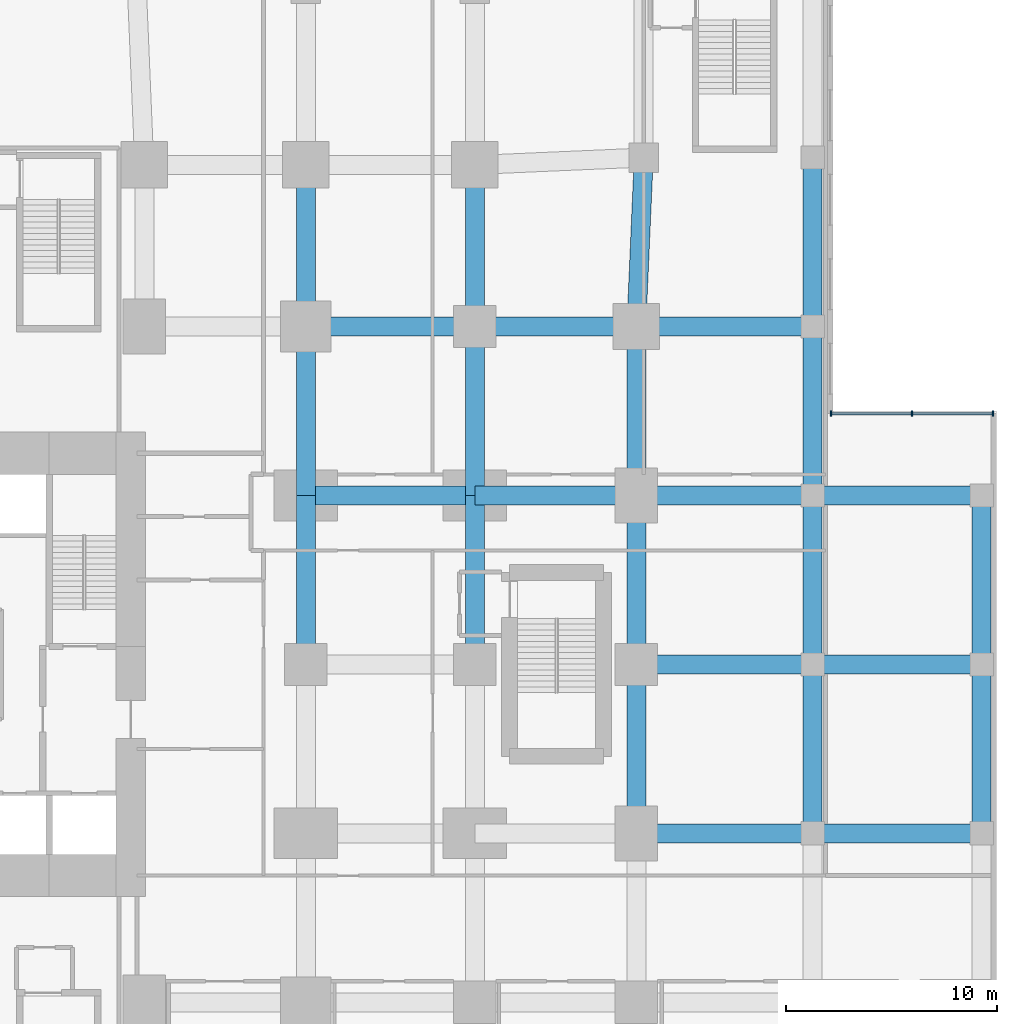
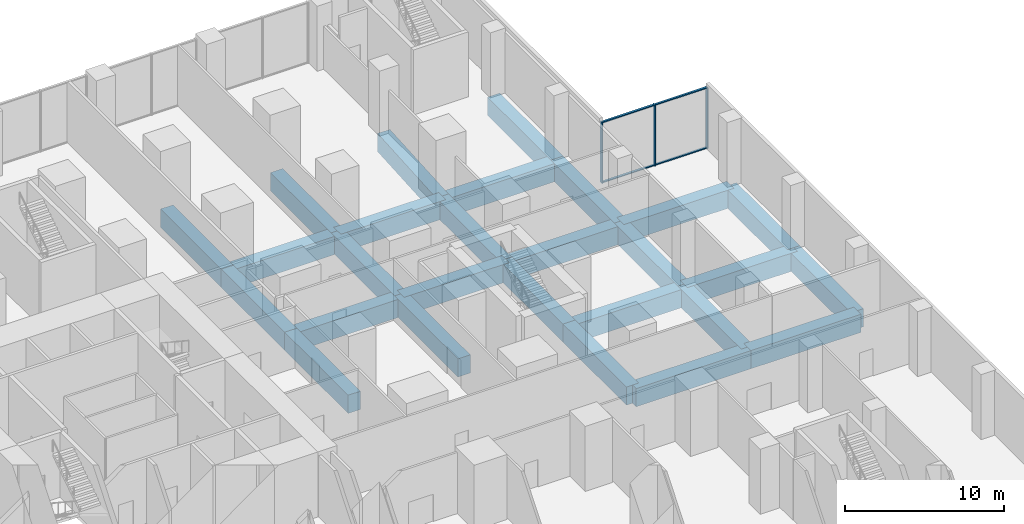
# One storey, part 6 of 22: 27 beams, 7 members, 1 element without a shape of its own.
"""IFC4 building model written with IfcOpenShell, lengths in metres."""

from ifc_helpers import new_model, si_unit, direction, frame, origin, origin_2d, place, context, subcontext, project, spatial, rectangle, extrude, material, layer, layer_set, material_profile, profile_set, type_object, element, aggregate, save


model = new_model("IFC4")

# Units and contexts
model_context = context("Model", 3, precision=1e-05, world=origin(), true_north=direction((0.0, 1.0)))
body_context = subcontext(model_context, "Body", "Model", "MODEL_VIEW")
ifc_project = project(units=[si_unit("LENGTHUNIT", "METRE"), si_unit("AREAUNIT", "SQUARE_METRE"), si_unit("VOLUMEUNIT", "CUBIC_METRE"), si_unit("PLANEANGLEUNIT", "RADIAN"), si_unit("MASSUNIT", "GRAM", prefix="KILO")], contexts=[model_context])

# Site, building, storey
site_placement = place(None, origin())
site = spatial("IfcSite", under=ifc_project, at=site_placement, CompositionType="ELEMENT")
building_placement = place(site_placement, origin())
building = spatial("IfcBuilding", under=site, at=building_placement, Name="Cleftline Residences", CompositionType="ELEMENT")
storey_placement = place(building_placement, frame((0.0, 0.0, 6.0)))
storey = spatial("IfcBuildingStorey", under=building, at=storey_placement, Name="L01", CompositionType="ELEMENT", Elevation=6.0)

# Beams
ifc_material_1 = material(Name="Concrete B45", Category="concrete")
ifc_material_profile_1 = material_profile(ifc_material_1, rectangle(XDim=0.89990234375, YDim=1.39990234375, at=origin_2d()))
ifc_profile_set_1 = profile_set([ifc_material_profile_1], Name="Concrete B45")
beam_type = type_object("IfcBeamType", Name="BEAM RC900X1400", PredefinedType="BEAM", material=ifc_profile_set_1)
beam_1_placement = place(storey_placement, frame((65.64990234375, 16.0, -1.0), z_axis=(1.0, 0.0, 0.0), x_axis=(0.0, 1.0, 0.0)))
element("IfcBeam", 1, at=beam_1_placement, inside=storey, type_object=beam_type, Name="Podium beam", PredefinedType="BEAM", context=body_context, shape_type="SweptSolid", body=[
    extrude(rectangle(XDim=0.89990234375, YDim=1.39990234375, at=origin_2d()), origin(), (0.0, 0.0, 1.0), 8.35009765625),
])
beam_2_placement = place(storey_placement, frame((74.0, 16.0, -1.0), z_axis=(1.0, 0.0, 0.0), x_axis=(0.0, 1.0, 0.0)))
element("IfcBeam", 2, at=beam_2_placement, inside=storey, type_object=beam_type, Name="Podium beam", PredefinedType="BEAM", context=body_context, shape_type="SweptSolid", body=[
    extrude(rectangle(XDim=0.89990234375, YDim=1.39990234375, at=origin_2d()), origin(), (0.0, 0.0, 1.0), 8.0),
])
beam_3_placement = place(storey_placement, frame((65.64990234375, 24.0, -1.0), z_axis=(1.0, 0.0, 0.0), x_axis=(0.0, 1.0, 0.0)))
element("IfcBeam", 3, at=beam_3_placement, inside=storey, type_object=beam_type, Name="Podium beam", PredefinedType="BEAM", context=body_context, shape_type="SweptSolid", body=[
    extrude(rectangle(XDim=0.89990234375, YDim=1.39990234375, at=origin_2d()), origin(), (0.0, 0.0, 1.0), 8.35009765625),
])
for number, where, z_axis, x_axis, name in (
    (4, (74.0, 24.0, -1.0), (1.0, 0.0, 0.0), (0.0, 1.0, 0.0), "Podium beam"),
    (5, (50.0, 32.0, -1.0), (1.0, 0.0, 0.0), (0.0, 1.0, 0.0), "Podium beam"),
):
    element("IfcBeam", number, at=place(storey_placement, frame(where, z_axis=z_axis, x_axis=x_axis)), inside=storey, type_object=beam_type, Name=name, PredefinedType="BEAM", context=body_context, shape_type="SweptSolid", body=[
        extrude(rectangle(XDim=0.89990234375, YDim=1.39990234375, at=origin_2d()), origin(), (0.0, 0.0, 1.0), 8.0),
    ])
beam_4_placement = place(storey_placement, frame((58.0, 32.0, -1.0), z_axis=(1.0, 0.0, 0.0), x_axis=(0.0, 1.0, 0.0)))
element("IfcBeam", 6, at=beam_4_placement, inside=storey, type_object=beam_type, Name="Podium beam", PredefinedType="BEAM", context=body_context, shape_type="SweptSolid", body=[
    extrude(rectangle(XDim=0.89990234375, YDim=1.39990234375, at=origin_2d()), origin(), (0.0, 0.0, 1.0), 7.64990234375),
])
beam_5_placement = place(storey_placement, frame((65.64990234375, 32.0, -1.0), z_axis=(1.0, 0.0, 0.0), x_axis=(0.0, 1.0, 0.0)))
element("IfcBeam", 7, at=beam_5_placement, inside=storey, type_object=beam_type, Name="Podium beam", PredefinedType="BEAM", context=body_context, shape_type="SweptSolid", body=[
    extrude(rectangle(XDim=0.89990234375, YDim=1.39990234375, at=origin_2d()), origin(), (0.0, 0.0, 1.0), 8.35009765625),
])
for number, where, z_axis, x_axis, name in (
    (8, (74.0, 32.0, -1.0), (1.0, 0.0, 0.0), (0.0, 1.0, 0.0), "Podium beam"),
    (9, (50.0, 40.0, -1.0), (1.0, 0.0, 0.0), (0.0, 1.0, 0.0), "Podium beam"),
):
    element("IfcBeam", number, at=place(storey_placement, frame(where, z_axis=z_axis, x_axis=x_axis)), inside=storey, type_object=beam_type, Name=name, PredefinedType="BEAM", context=body_context, shape_type="SweptSolid", body=[
        extrude(rectangle(XDim=0.89990234375, YDim=1.39990234375, at=origin_2d()), origin(), (0.0, 0.0, 1.0), 8.0),
    ])
beam_6_placement = place(storey_placement, frame((58.0, 40.0, -1.0), z_axis=(1.0, 0.0, 0.0), x_axis=(0.0, 1.0, 0.0)))
element("IfcBeam", 10, at=beam_6_placement, inside=storey, type_object=beam_type, Name="Podium beam", PredefinedType="BEAM", context=body_context, shape_type="SweptSolid", body=[
    extrude(rectangle(XDim=0.89990234375, YDim=1.39990234375, at=origin_2d()), origin(), (0.0, 0.0, 1.0), 7.64990234375),
])
beam_7_placement = place(storey_placement, frame((65.64990234375, 40.0, -1.0), z_axis=(1.0, 0.0, 0.0), x_axis=(0.0, 1.0, 0.0)))
element("IfcBeam", 11, at=beam_7_placement, inside=storey, type_object=beam_type, Name="Podium beam", PredefinedType="BEAM", context=body_context, shape_type="SweptSolid", body=[
    extrude(rectangle(XDim=0.89990234375, YDim=1.39990234375, at=origin_2d()), origin(), (0.0, 0.0, 1.0), 8.35009765625),
])
for number, where, z_axis, x_axis, name in (
    (12, (50.0, 24.0, -1.0), (0.0, 1.0, 0.0), (-1.0, 0.0, 0.0), "Podium beam"),
    (13, (50.0, 32.0, -1.0), (0.0, 1.0, 0.0), (-1.0, 0.0, 0.0), "Podium beam"),
):
    element("IfcBeam", number, at=place(storey_placement, frame(where, z_axis=z_axis, x_axis=x_axis)), inside=storey, type_object=beam_type, Name=name, PredefinedType="BEAM", context=body_context, shape_type="SweptSolid", body=[
        extrude(rectangle(XDim=0.89990234375, YDim=1.39990234375, at=origin_2d()), origin(), (0.0, 0.0, 1.0), 8.0),
    ])
beam_8_placement = place(storey_placement, frame((50.0, 40.0, -1.0), z_axis=(0.0, 1.0, 0.0), x_axis=(-1.0, 0.0, 0.0)))
element("IfcBeam", 14, at=beam_8_placement, inside=storey, type_object=beam_type, Name="Podium beam", PredefinedType="BEAM", context=body_context, shape_type="SweptSolid", body=[
    extrude(rectangle(XDim=0.89990234375, YDim=1.39990234375, at=origin_2d()), origin(), (0.0, 0.0, 1.0), 7.64990234375),
])
for number, where, z_axis, x_axis, name in (
    (15, (58.0, 24.0, -1.0), (0.0, 1.0, 0.0), (-1.0, 0.0, 0.0), "Podium beam"),
    (16, (58.0, 32.0, -1.0), (0.0, 1.0, 0.0), (-1.0, 0.0, 0.0), "Podium beam"),
):
    element("IfcBeam", number, at=place(storey_placement, frame(where, z_axis=z_axis, x_axis=x_axis)), inside=storey, type_object=beam_type, Name=name, PredefinedType="BEAM", context=body_context, shape_type="SweptSolid", body=[
        extrude(rectangle(XDim=0.89990234375, YDim=1.39990234375, at=origin_2d()), origin(), (0.0, 0.0, 1.0), 8.0),
    ])
beam_9_placement = place(storey_placement, frame((58.0, 40.0, -1.0), z_axis=(0.0, 1.0, 0.0), x_axis=(-1.0, 0.0, 0.0)))
element("IfcBeam", 17, at=beam_9_placement, inside=storey, type_object=beam_type, Name="Podium beam", PredefinedType="BEAM", context=body_context, shape_type="SweptSolid", body=[
    extrude(rectangle(XDim=0.89990234375, YDim=1.39990234375, at=origin_2d()), origin(), (0.0, 0.0, 1.0), 7.64990234375),
])
for number, where, z_axis, x_axis, name in (
    (18, (65.64990234375, 16.0, -1.0), (0.0, 1.0, 0.0), (-1.0, 0.0, 0.0), "Podium beam"),
    (19, (65.64990234375, 24.0, -1.0), (0.0, 1.0, 0.0), (-1.0, 0.0, 0.0), "Podium beam"),
    (20, (65.64990234375, 32.0, -1.0), (0.0, 1.0, 0.0), (-1.0, 0.0, 0.0), "Podium beam"),
):
    element("IfcBeam", number, at=place(storey_placement, frame(where, z_axis=z_axis, x_axis=x_axis)), inside=storey, type_object=beam_type, Name=name, PredefinedType="BEAM", context=body_context, shape_type="SweptSolid", body=[
        extrude(rectangle(XDim=0.89990234375, YDim=1.39990234375, at=origin_2d()), origin(), (0.0, 0.0, 1.0), 8.0),
    ])
beam_10_placement = place(storey_placement, frame((65.64990234375, 40.0, -1.0), z_axis=(0.043720361951, 0.999043807824, 0.0), x_axis=(-0.999043807824, 0.043720361951, 0.0)))
element("IfcBeam", 21, at=beam_10_placement, inside=storey, type_object=beam_type, Name="Podium beam", PredefinedType="BEAM", context=body_context, shape_type="SweptSolid", body=[
    extrude(rectangle(XDim=0.89990234375, YDim=1.39990234375, at=origin_2d()), origin(), (0.0, 0.0, 1.0), 8.007568359375),
])
for number, where, z_axis, x_axis, name in (
    (22, (74.0, 16.0, -1.0), (0.0, 1.0, 0.0), (-1.0, 0.0, 0.0), "Podium beam"),
    (23, (74.0, 24.0, -1.0), (0.0, 1.0, 0.0), (-1.0, 0.0, 0.0), "Podium beam"),
    (24, (74.0, 32.0, -1.0), (0.0, 1.0, 0.0), (-1.0, 0.0, 0.0), "Podium beam"),
    (25, (74.0, 40.0, -1.0), (0.0, 1.0, 0.0), (-1.0, 0.0, 0.0), "Podium beam"),
    (26, (82.0, 16.0, -1.0), (0.0, 1.0, 0.0), (-1.0, 0.0, 0.0), "Podium beam"),
    (27, (82.0, 24.0, -1.0), (0.0, 1.0, 0.0), (-1.0, 0.0, 0.0), "Podium beam"),
):
    element("IfcBeam", number, at=place(storey_placement, frame(where, z_axis=z_axis, x_axis=x_axis)), inside=storey, type_object=beam_type, Name=name, PredefinedType="BEAM", context=body_context, shape_type="SweptSolid", body=[
        extrude(rectangle(XDim=0.89990234375, YDim=1.39990234375, at=origin_2d()), origin(), (0.0, 0.0, 1.0), 8.0),
    ])

# Curtain wall, members
ifc_material_2 = material(Name="Aluminium framed curtain wall", Category="aluminium")
ifc_layer = layer(ifc_material_2, 0.199951171875)
ifc_layer_set = layer_set([ifc_layer], Name="CW2 PODIUM GLAZING")
curtain_wall_type = type_object("IfcCurtainWallType", Name="CW2 PODIUM GLAZING", PredefinedType="NOTDEFINED", material=ifc_layer_set)
curtain_wall_placement = place(storey_placement, origin())
curtain_wall = element("IfcCurtainWall", 28, at=curtain_wall_placement, inside=storey, type_object=curtain_wall_type, Name="Curtain wall CW2", PredefinedType="NOTDEFINED")
ifc_material_3 = material(Name="Aluminium mullion", Category="aluminium")
ifc_material_profile_2 = material_profile(ifc_material_3, rectangle(XDim=0.25, YDim=0.080078125, at=origin_2d()))
ifc_profile_set_2 = profile_set([ifc_material_profile_2], Name="Aluminium mullion")
member_type_1 = type_object("IfcMemberType", Name="CW2 MULLION", PredefinedType="MULLION", material=ifc_profile_set_2)
member_1_placement = place(storey_placement, frame((82.534912109375, 35.875, 0.0), z_axis=(0.0, 0.0, 1.0), x_axis=(0.0, -1.0, 0.0)))
member_1 = element("IfcMember", 29, at=member_1_placement, type_object=member_type_1, Name="CW2 mullion 1", PredefinedType="MULLION", context=body_context, shape_type="SweptSolid", body=[
    extrude(rectangle(XDim=0.25, YDim=0.080078125, at=origin_2d()), origin(), (0.0, 0.0, 1.0), 4.699951171875),
])
member_2_placement = place(storey_placement, frame((78.699951171875, 35.875, 0.0), z_axis=(0.0, 0.0, 1.0), x_axis=(0.0, -1.0, 0.0)))
member_2 = element("IfcMember", 30, at=member_2_placement, type_object=member_type_1, Name="CW2 mullion 2", PredefinedType="MULLION", context=body_context, shape_type="SweptSolid", body=[
    extrude(rectangle(XDim=0.25, YDim=0.080078125, at=origin_2d()), origin(), (0.0, 0.0, 1.0), 4.699951171875),
])
member_3_placement = place(storey_placement, frame((74.864990234375, 35.875, 0.0), z_axis=(0.0, 0.0, 1.0), x_axis=(0.0, -1.0, 0.0)))
member_3 = element("IfcMember", 31, at=member_3_placement, type_object=member_type_1, Name="CW2 mullion 3", PredefinedType="MULLION", context=body_context, shape_type="SweptSolid", body=[
    extrude(rectangle(XDim=0.25, YDim=0.080078125, at=origin_2d()), origin(), (0.0, 0.0, 1.0), 4.699951171875),
])
ifc_material_4 = material(Name="Aluminium transom", Category="aluminium")
ifc_material_profile_3 = material_profile(ifc_material_4, rectangle(XDim=0.14990234375, YDim=0.080078125, at=origin_2d()))
ifc_profile_set_3 = profile_set([ifc_material_profile_3], Name="Aluminium transom")
member_type_2 = type_object("IfcMemberType", Name="CW2 TRANSOM", PredefinedType="USERDEFINED", material=ifc_profile_set_3)
member_4_placement = place(storey_placement, frame((82.4951171875, 35.875, 0.0400390625), z_axis=(-1.0, 0.0, 0.0), x_axis=(0.0, -1.0, 0.0)))
member_4 = element("IfcMember", 32, at=member_4_placement, type_object=member_type_2, Name="CW2 transom 1.1", ObjectType="TRANSOM", PredefinedType="USERDEFINED", context=body_context, shape_type="SweptSolid", body=[
    extrude(rectangle(XDim=0.14990234375, YDim=0.080078125, at=origin_2d()), origin(), (0.0, 0.0, 1.0), 3.755126953125),
])
member_5_placement = place(storey_placement, frame((82.4951171875, 35.875, 4.659912109375), z_axis=(-1.0, 0.0, 0.0), x_axis=(0.0, -1.0, 0.0)))
member_5 = element("IfcMember", 33, at=member_5_placement, type_object=member_type_2, Name="CW2 transom 1.2", ObjectType="TRANSOM", PredefinedType="USERDEFINED", context=body_context, shape_type="SweptSolid", body=[
    extrude(rectangle(XDim=0.14990234375, YDim=0.080078125, at=origin_2d()), origin(), (0.0, 0.0, 1.0), 3.755126953125),
])
member_6_placement = place(storey_placement, frame((78.659912109375, 35.875, 0.0400390625), z_axis=(-1.0, 0.0, 0.0), x_axis=(0.0, -1.0, 0.0)))
member_6 = element("IfcMember", 34, at=member_6_placement, type_object=member_type_2, Name="CW2 transom 2.1", ObjectType="TRANSOM", PredefinedType="USERDEFINED", context=body_context, shape_type="SweptSolid", body=[
    extrude(rectangle(XDim=0.14990234375, YDim=0.080078125, at=origin_2d()), origin(), (0.0, 0.0, 1.0), 3.7548828125),
])
member_7_placement = place(storey_placement, frame((78.659912109375, 35.875, 4.659912109375), z_axis=(-1.0, 0.0, 0.0), x_axis=(0.0, -1.0, 0.0)))
member_7 = element("IfcMember", 35, at=member_7_placement, type_object=member_type_2, Name="CW2 transom 2.2", ObjectType="TRANSOM", PredefinedType="USERDEFINED", context=body_context, shape_type="SweptSolid", body=[
    extrude(rectangle(XDim=0.14990234375, YDim=0.080078125, at=origin_2d()), origin(), (0.0, 0.0, 1.0), 3.7548828125),
])
aggregate(curtain_wall, [member_1, member_2, member_3, member_4, member_5, member_6, member_7])

save(model, "model.ifc")
